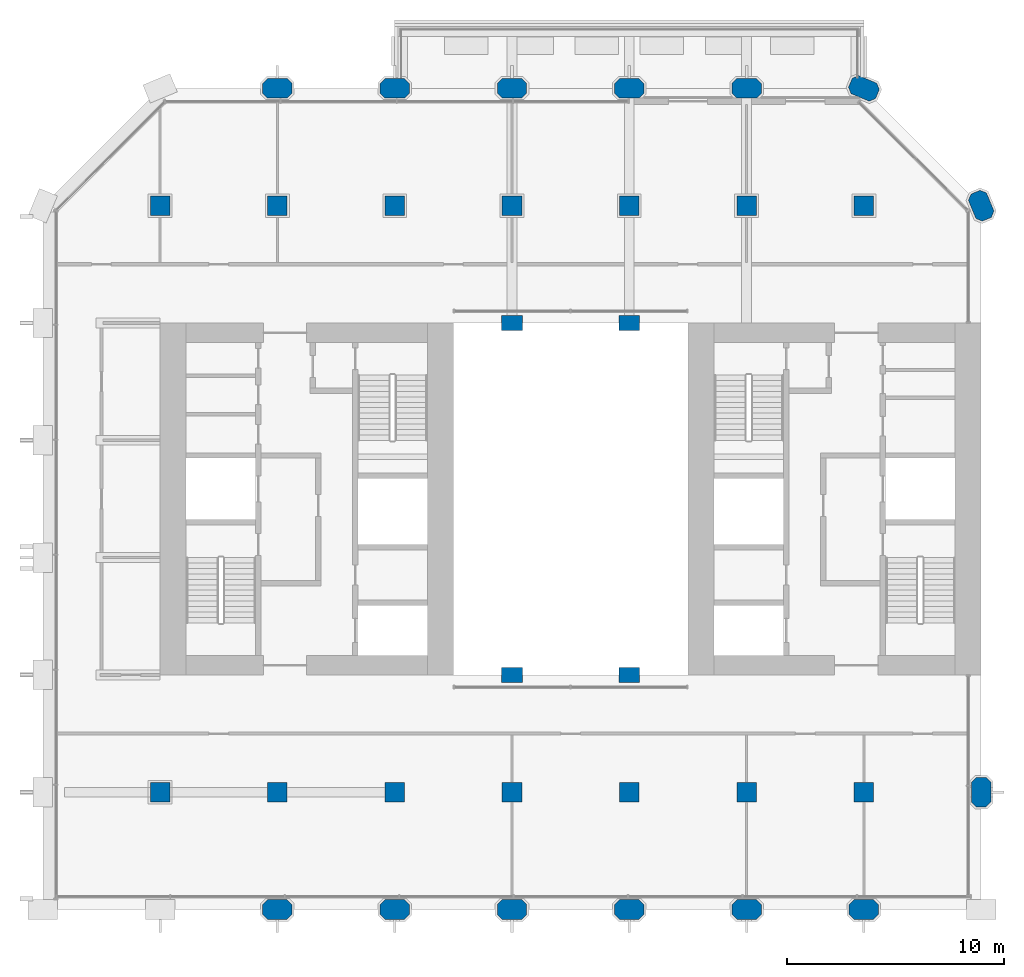
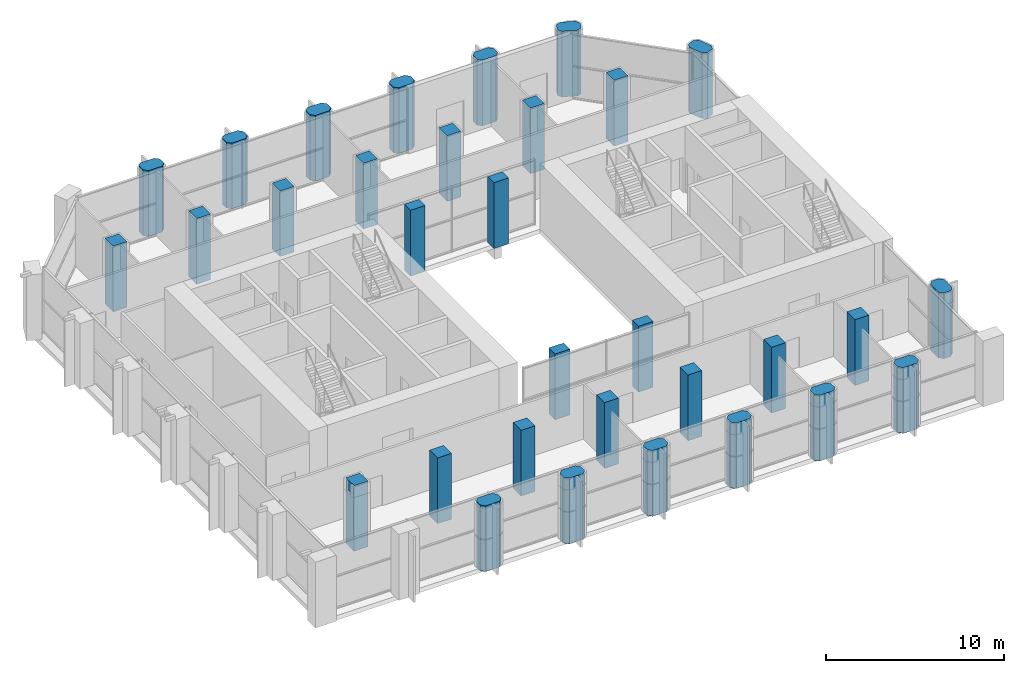
# One storey, part 1 of 15: 32 columns.
"""IFC4 building model written with IfcOpenShell, lengths in metres."""

from ifc_helpers import new_model, si_unit, direction, frame, origin, origin_2d, place, context, subcontext, project, spatial, polyline, rectangle, outline, extrude, material, material_profile, profile_set, type_object, element, save


model = new_model("IFC4")

# Units and contexts
model_context = context("Model", 3, precision=1e-05, world=origin(), true_north=direction((0.0, 1.0)))
body_context = subcontext(model_context, "Body", "Model", "MODEL_VIEW")
ifc_project = project(units=[si_unit("LENGTHUNIT", "METRE"), si_unit("AREAUNIT", "SQUARE_METRE"), si_unit("VOLUMEUNIT", "CUBIC_METRE"), si_unit("PLANEANGLEUNIT", "RADIAN"), si_unit("MASSUNIT", "GRAM", prefix="KILO")], contexts=[model_context])

# Site, building, storey
site_placement = place(None, origin())
site = spatial("IfcSite", under=ifc_project, at=site_placement, CompositionType="ELEMENT")
building_placement = place(site_placement, origin())
building = spatial("IfcBuilding", under=site, at=building_placement, Name="Tabaq Tower and Sports Hall", CompositionType="ELEMENT")
storey_placement = place(building_placement, frame((0.0, 0.0, 148.0)))
storey = spatial("IfcBuildingStorey", under=building, at=storey_placement, Name="L34", CompositionType="ELEMENT", Elevation=148.0)

# Columns
ifc_material_1 = material(Name="Concrete C50/60", Category="concrete")
ifc_material_profile_1 = material_profile(ifc_material_1, rectangle(XDim=0.949951171875, YDim=0.699951171875, at=origin_2d()), Name="ATRIUM COLUMN 950x700")
ifc_profile_set_1 = profile_set([ifc_material_profile_1], Name="Concrete C50/60")
column_type_1 = type_object("IfcColumnType", Name="RC COLUMN ATRIUM COLUMN 950x700 C50/60", PredefinedType="COLUMN", material=ifc_profile_set_1)
for number, where, z_axis, x_axis, name in (
    (1, (21.60009765625, 16.199951171875, 0.0), (0.0, 0.0, 1.0), (1.0, 0.0, 0.0), "Atrium Column 5/D L34"),
    (2, (27.0, 16.199951171875, 0.0), (0.0, 0.0, 1.0), (1.0, 0.0, 0.0), "Atrium Column 6/D L34"),
    (3, (21.60009765625, 32.39990234375, 0.0), (0.0, 0.0, 1.0), (1.0, 0.0, 0.0), "Atrium Column 5/G L34"),
    (4, (27.0, 32.39990234375, 0.0), (0.0, 0.0, 1.0), (1.0, 0.0, 0.0), "Atrium Column 6/G L34"),
):
    element("IfcColumn", number, at=place(storey_placement, frame(where, z_axis=z_axis, x_axis=x_axis)), inside=storey, type_object=column_type_1, Name=name, PredefinedType="COLUMN", context=body_context, shape_type="SweptSolid", body=[
        extrude(rectangle(XDim=0.949951171875, YDim=0.699951171875, at=origin_2d()), origin(), (0.0, 0.0, 1.0), 4.5),
    ])
ifc_material_2 = material(Name="Concrete C50/60", Category="concrete")
ifc_material_profile_2 = material_profile(ifc_material_2, rectangle(XDim=0.89990234375, YDim=0.89990234375, at=origin_2d()), Name="COLUMN 900x900")
ifc_profile_set_2 = profile_set([ifc_material_profile_2], Name="Concrete C50/60")
column_type_2 = type_object("IfcColumnType", Name="RC COLUMN COLUMN 900x900 C50/60", PredefinedType="COLUMN", material=ifc_profile_set_2)
for number, where, z_axis, x_axis, name in (
    (5, (5.39990234375, 10.800048828125, 0.0), (0.0, 0.0, 1.0), (1.0, 0.0, 0.0), "Column 2/C L34"),
    (6, (10.800048828125, 10.800048828125, 0.0), (0.0, 0.0, 1.0), (1.0, 0.0, 0.0), "Column 3/C L34"),
    (7, (16.199951171875, 10.800048828125, 0.0), (0.0, 0.0, 1.0), (1.0, 0.0, 0.0), "Column 4/C L34"),
    (8, (21.60009765625, 10.800048828125, 0.0), (0.0, 0.0, 1.0), (1.0, 0.0, 0.0), "Column 5/C L34"),
    (9, (27.0, 10.800048828125, 0.0), (0.0, 0.0, 1.0), (1.0, 0.0, 0.0), "Column 6/C L34"),
    (10, (32.39990234375, 10.800048828125, 0.0), (0.0, 0.0, 1.0), (1.0, 0.0, 0.0), "Column 7/C L34"),
    (11, (37.800048828125, 10.800048828125, 0.0), (0.0, 0.0, 1.0), (1.0, 0.0, 0.0), "Column 8/C L34"),
    (12, (5.39990234375, 37.800048828125, 0.0), (0.0, 0.0, 1.0), (1.0, 0.0, 0.0), "Column 2/H L34"),
    (13, (10.800048828125, 37.800048828125, 0.0), (0.0, 0.0, 1.0), (1.0, 0.0, 0.0), "Column 3/H L34"),
    (14, (16.199951171875, 37.800048828125, 0.0), (0.0, 0.0, 1.0), (1.0, 0.0, 0.0), "Column 4/H L34"),
    (15, (21.60009765625, 37.800048828125, 0.0), (0.0, 0.0, 1.0), (1.0, 0.0, 0.0), "Column 5/H L34"),
    (16, (27.0, 37.800048828125, 0.0), (0.0, 0.0, 1.0), (1.0, 0.0, 0.0), "Column 6/H L34"),
    (17, (32.39990234375, 37.800048828125, 0.0), (0.0, 0.0, 1.0), (1.0, 0.0, 0.0), "Column 7/H L34"),
    (18, (37.800048828125, 37.800048828125, 0.0), (0.0, 0.0, 1.0), (1.0, 0.0, 0.0), "Column 8/H L34"),
):
    element("IfcColumn", number, at=place(storey_placement, frame(where, z_axis=z_axis, x_axis=x_axis)), inside=storey, type_object=column_type_2, Name=name, PredefinedType="COLUMN", context=body_context, shape_type="SweptSolid", body=[
        extrude(rectangle(XDim=0.89990234375, YDim=0.89990234375, at=origin_2d()), origin(), (0.0, 0.0, 1.0), 4.5),
    ])
ifc_material_3 = material(Name="Concrete C50/60", Category="concrete")
ifc_material_profile_3 = material_profile(ifc_material_3, outline(polyline([(-0.449951171875, -0.449951171875), (0.449951171875, -0.449951171875), (0.675048828125, -0.22509765625), (0.675048828125, 0.22509765625), (0.449951171875, 0.449951171875), (-0.449951171875, 0.449951171875), (-0.675048828125, 0.22509765625), (-0.675048828125, -0.22509765625), (-0.449951171875, -0.449951171875)])), Name="PIER 1350x900")
ifc_profile_set_3 = profile_set([ifc_material_profile_3], Name="Concrete C50/60")
column_type_3 = type_object("IfcColumnType", Name="RC COLUMN PIER 1350x900 C50/60", PredefinedType="COLUMN", material=ifc_profile_set_3)
for number, where, z_axis, x_axis, name in (
    (19, (10.800048828125, 5.39990234375, 0.0), (0.0, 0.0, 1.0), (1.0, 0.0, 0.0), "Pier 3/B L34"),
    (20, (16.199951171875, 5.39990234375, 0.0), (0.0, 0.0, 1.0), (1.0, 0.0, 0.0), "Pier 4/B L34"),
    (21, (21.60009765625, 5.39990234375, 0.0), (0.0, 0.0, 1.0), (1.0, 0.0, 0.0), "Pier 5/B L34"),
    (22, (27.0, 5.39990234375, 0.0), (0.0, 0.0, 1.0), (1.0, 0.0, 0.0), "Pier 6/B L34"),
    (23, (32.39990234375, 5.39990234375, 0.0), (0.0, 0.0, 1.0), (1.0, 0.0, 0.0), "Pier 7/B L34"),
    (24, (37.800048828125, 5.39990234375, 0.0), (0.0, 0.0, 1.0), (1.0, 0.0, 0.0), "Pier 8/B L34"),
    (25, (43.199951171875, 10.800048828125, 0.0), (0.0, 0.0, 1.0), (0.0, 1.0, 0.0), "Pier 9/C L34"),
    (26, (43.199951171875, 37.800048828125, 0.0), (0.0, 0.0, 1.0), (-0.382683432365, 0.923879532511, 0.0), "Pier 9/H L34"),
    (27, (10.800048828125, 43.199951171875, 0.0), (0.0, 0.0, 1.0), (1.0, 0.0, 0.0), "Pier 3/I L34"),
    (28, (16.199951171875, 43.199951171875, 0.0), (0.0, 0.0, 1.0), (1.0, 0.0, 0.0), "Pier 4/I L34"),
    (29, (21.60009765625, 43.199951171875, 0.0), (0.0, 0.0, 1.0), (1.0, 0.0, 0.0), "Pier 5/I L34"),
    (30, (27.0, 43.199951171875, 0.0), (0.0, 0.0, 1.0), (1.0, 0.0, 0.0), "Pier 6/I L34"),
    (31, (32.39990234375, 43.199951171875, 0.0), (0.0, 0.0, 1.0), (1.0, 0.0, 0.0), "Pier 7/I L34"),
    (32, (37.800048828125, 43.199951171875, 0.0), (0.0, 0.0, 1.0), (-0.923879532511, 0.382683432365, 0.0), "Pier 8/I L34"),
):
    element("IfcColumn", number, at=place(storey_placement, frame(where, z_axis=z_axis, x_axis=x_axis)), inside=storey, type_object=column_type_3, Name=name, PredefinedType="COLUMN", context=body_context, shape_type="SweptSolid", body=[
        extrude(outline(polyline([(-0.449951171875, -0.449951171875), (0.449951171875, -0.449951171875), (0.675048828125, -0.22509765625), (0.675048828125, 0.22509765625), (0.449951171875, 0.449951171875), (-0.449951171875, 0.449951171875), (-0.675048828125, 0.22509765625), (-0.675048828125, -0.22509765625), (-0.449951171875, -0.449951171875)])), origin(), (0.0, 0.0, 1.0), 4.5),
    ])

save(model, "model.ifc")
